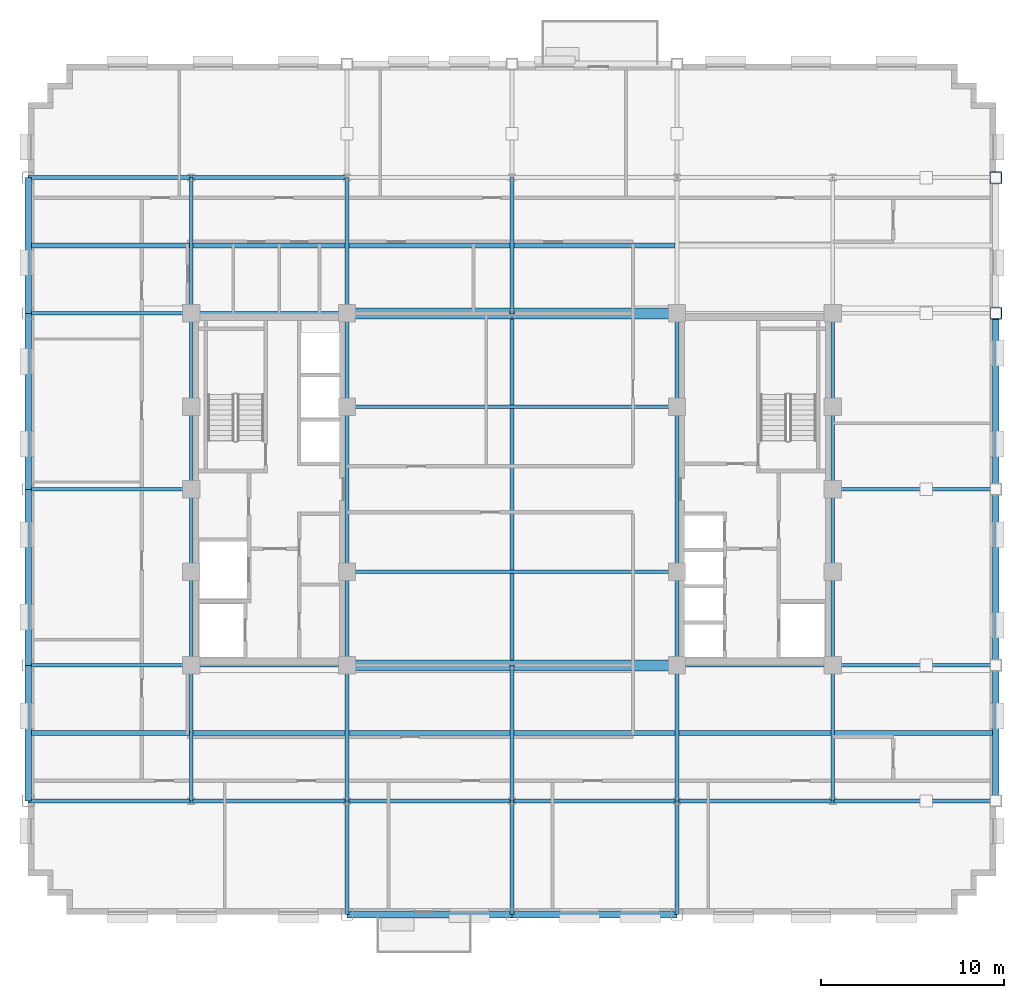
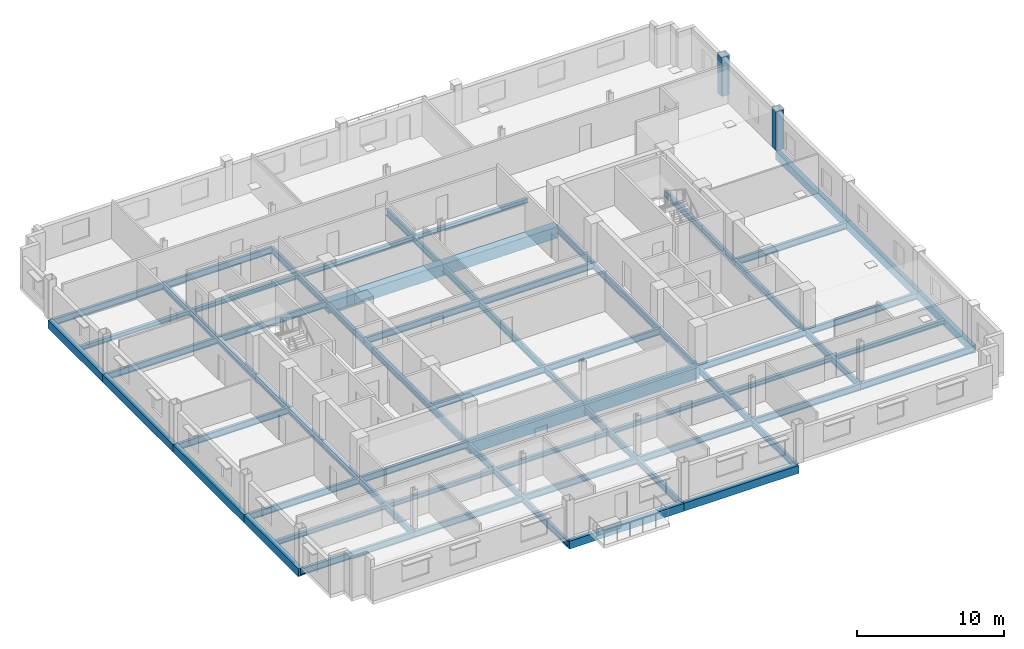
# One storey, part 4 of 14: 67 beams, 2 columns.
"""IFC4 building model written with IfcOpenShell, lengths in metres."""

from ifc_helpers import new_model, si_unit, direction, frame, origin, origin_2d, place, context, subcontext, project, spatial, rectangle, hollow_rectangle, i_section, extrude, material, material_profile, profile_set, type_object, element, save


model = new_model("IFC4")

# Units and contexts
model_context = context("Model", 3, precision=1e-05, world=origin(), true_north=direction((0.0, 1.0)))
body_context = subcontext(model_context, "Body", "Model", "MODEL_VIEW")
ifc_project = project(units=[si_unit("LENGTHUNIT", "METRE"), si_unit("AREAUNIT", "SQUARE_METRE"), si_unit("VOLUMEUNIT", "CUBIC_METRE"), si_unit("PLANEANGLEUNIT", "RADIAN"), si_unit("MASSUNIT", "GRAM", prefix="KILO")], contexts=[model_context])

# Site, building, storey
site_placement = place(None, origin())
site = spatial("IfcSite", under=ifc_project, at=site_placement, CompositionType="ELEMENT")
building_placement = place(site_placement, origin())
building = spatial("IfcBuilding", under=site, at=building_placement, Name="Nuvemarco Arch Tower", CompositionType="ELEMENT")
storey_placement = place(building_placement, frame((0.0, 0.0, 164.0)))
storey = spatial("IfcBuildingStorey", under=building, at=storey_placement, Name="L43", CompositionType="ELEMENT", Elevation=164.0)

# Columns
ifc_material_1 = material(Name="Steel S355", Category="steel")
ifc_material_profile_1 = material_profile(ifc_material_1, hollow_rectangle(XDim=0.64990234375, YDim=0.64990234375, WallThickness=0.0400390625, InnerFilletRadius=0.0400390625, OuterFilletRadius=0.080078125, at=origin_2d()), Name="SHS650x650x40")
ifc_profile_set_1 = profile_set([ifc_material_profile_1], Name="Steel S355")
column_type = type_object("IfcColumnType", Name="COL-EXO-650", PredefinedType="COLUMN", material=ifc_profile_set_1)
for number, where, z_axis, x_axis, name in (
    (1, (26.39990234375, 9.60009765625, 0.0), (0.0, 0.0, 1.0), (1.0, 0.0, 0.0), "L43 column CX_+26.4_+9.6"),
    (2, (26.39990234375, 17.0, 0.0), (0.0, 0.0, 1.0), (1.0, 0.0, 0.0), "L43 column CX_+26.4_+17.0"),
):
    element("IfcColumn", number, at=place(storey_placement, frame(where, z_axis=z_axis, x_axis=x_axis)), inside=storey, type_object=column_type, Name=name, PredefinedType="COLUMN", context=body_context, shape_type="SweptSolid", body=[
        extrude(hollow_rectangle(XDim=0.64990234375, YDim=0.64990234375, WallThickness=0.0400390625, InnerFilletRadius=0.0400390625, OuterFilletRadius=0.080078125, at=origin_2d()), origin(), (0.0, 0.0, 1.0), 3.25),
    ])

# Beams
ifc_material_2 = material(Name="Concrete C60/75", Category="concrete")
ifc_material_profile_2 = material_profile(ifc_material_2, rectangle(XDim=0.60009765625, YDim=0.949951171875, at=origin_2d()), Name="RC-BM-600x950")
ifc_profile_set_2 = profile_set([ifc_material_profile_2], Name="Concrete C60/75")
beam_type_1 = type_object("IfcBeamType", Name="BM-COUP-RC", PredefinedType="LINTEL", material=ifc_profile_set_2)
for number, where, z_axis, x_axis, name in (
    (3, (-9.0, -9.60009765625, -0.7548828125), (1.0, 0.0, 0.0), (0.0, 1.0, 0.0), "L43 structural beam BGEW_L43_0_-9.6_-9.0"),
    (4, (0.0, -9.60009765625, -0.7548828125), (1.0, 0.0, 0.0), (0.0, 1.0, 0.0), "L43 structural beam BGEW_L43_0_-9.6_+0.0"),
    (5, (-9.0, 9.60009765625, -0.7548828125), (1.0, 0.0, 0.0), (0.0, 1.0, 0.0), "L43 structural beam BGEW_L43_0_+9.6_-9.0"),
    (6, (0.0, 9.60009765625, -0.7548828125), (1.0, 0.0, 0.0), (0.0, 1.0, 0.0), "L43 structural beam BGEW_L43_0_+9.6_+0.0"),
):
    element("IfcBeam", number, at=place(storey_placement, frame(where, z_axis=z_axis, x_axis=x_axis)), inside=storey, type_object=beam_type_1, Name=name, PredefinedType="LINTEL", context=body_context, shape_type="SweptSolid", body=[
        extrude(rectangle(XDim=0.60009765625, YDim=0.949951171875, at=origin_2d()), origin(), (0.0, 0.0, 1.0), 9.0),
    ])
ifc_material_profile_3 = material_profile(ifc_material_1, i_section(OverallWidth=0.2109375, OverallDepth=0.5390625, WebThickness=0.01171875, FlangeThickness=0.018798828125, FilletRadius=0.01611328125, at=origin_2d()), Name="W530x109")
ifc_profile_set_3 = profile_set([ifc_material_profile_3], Name="Steel S355")
beam_type_2 = type_object("IfcBeamType", Name="BM-GIRD-530", PredefinedType="BEAM", material=ifc_profile_set_3)
beam_1_placement = place(storey_placement, frame((-17.5, -17.0, -0.549560546875), z_axis=(0.0, 1.0, 0.0), x_axis=(-1.0, 0.0, 0.0)))
element("IfcBeam", 7, at=beam_1_placement, inside=storey, type_object=beam_type_2, Name="L43 structural beam BGNS_L43_0_-17.5_-17.0", PredefinedType="BEAM", context=body_context, shape_type="SweptSolid", body=[
    extrude(i_section(OverallWidth=0.2109375, OverallDepth=0.5390625, WebThickness=0.01171875, FlangeThickness=0.018798828125, FilletRadius=0.01611328125, at=origin_2d()), origin(), (0.0, 0.0, 1.0), 7.39990234375),
])
beam_2_placement = place(storey_placement, frame((-17.5, -9.60009765625, -0.549560546875), z_axis=(0.0, 1.0, 0.0), x_axis=(-1.0, 0.0, 0.0)))
element("IfcBeam", 8, at=beam_2_placement, inside=storey, type_object=beam_type_2, Name="L43 structural beam BGNS_L43_0_-17.5_-9.6", PredefinedType="BEAM", context=body_context, shape_type="SweptSolid", body=[
    extrude(i_section(OverallWidth=0.2109375, OverallDepth=0.5390625, WebThickness=0.01171875, FlangeThickness=0.018798828125, FilletRadius=0.01611328125, at=origin_2d()), origin(), (0.0, 0.0, 1.0), 5.10009765625),
])
for number, where, z_axis, x_axis, name in (
    (9, (-17.5, -4.5, -0.549560546875), (0.0, 1.0, 0.0), (-1.0, 0.0, 0.0), "L43 structural beam BGNS_L43_0_-17.5_-4.5"),
    (10, (-17.5, 0.0, -0.549560546875), (0.0, 1.0, 0.0), (-1.0, 0.0, 0.0), "L43 structural beam BGNS_L43_0_-17.5_+0.0"),
):
    element("IfcBeam", number, at=place(storey_placement, frame(where, z_axis=z_axis, x_axis=x_axis)), inside=storey, type_object=beam_type_2, Name=name, PredefinedType="BEAM", context=body_context, shape_type="SweptSolid", body=[
        extrude(i_section(OverallWidth=0.2109375, OverallDepth=0.5390625, WebThickness=0.01171875, FlangeThickness=0.018798828125, FilletRadius=0.01611328125, at=origin_2d()), origin(), (0.0, 0.0, 1.0), 4.5),
    ])
beam_3_placement = place(storey_placement, frame((-17.5, 4.5, -0.549560546875), z_axis=(0.0, 1.0, 0.0), x_axis=(-1.0, 0.0, 0.0)))
element("IfcBeam", 11, at=beam_3_placement, inside=storey, type_object=beam_type_2, Name="L43 structural beam BGNS_L43_0_-17.5_+4.5", PredefinedType="BEAM", context=body_context, shape_type="SweptSolid", body=[
    extrude(i_section(OverallWidth=0.2109375, OverallDepth=0.5390625, WebThickness=0.01171875, FlangeThickness=0.018798828125, FilletRadius=0.01611328125, at=origin_2d()), origin(), (0.0, 0.0, 1.0), 5.10009765625),
])
beam_4_placement = place(storey_placement, frame((-17.5, 9.60009765625, -0.549560546875), z_axis=(0.0, 1.0, 0.0), x_axis=(-1.0, 0.0, 0.0)))
element("IfcBeam", 12, at=beam_4_placement, inside=storey, type_object=beam_type_2, Name="L43 structural beam BGNS_L43_0_-17.5_+9.6", PredefinedType="BEAM", context=body_context, shape_type="SweptSolid", body=[
    extrude(i_section(OverallWidth=0.2109375, OverallDepth=0.5390625, WebThickness=0.01171875, FlangeThickness=0.018798828125, FilletRadius=0.01611328125, at=origin_2d()), origin(), (0.0, 0.0, 1.0), 7.39990234375),
])
beam_5_placement = place(storey_placement, frame((-9.0, -23.199951171875, -0.549560546875), z_axis=(0.0, 1.0, 0.0), x_axis=(-1.0, 0.0, 0.0)))
element("IfcBeam", 13, at=beam_5_placement, inside=storey, type_object=beam_type_2, Name="L43 structural beam BGNS_L43_0_-9.0_-23.2", PredefinedType="BEAM", context=body_context, shape_type="SweptSolid", body=[
    extrude(i_section(OverallWidth=0.2109375, OverallDepth=0.5390625, WebThickness=0.01171875, FlangeThickness=0.018798828125, FilletRadius=0.01611328125, at=origin_2d()), origin(), (0.0, 0.0, 1.0), 6.199951171875),
])
beam_6_placement = place(storey_placement, frame((-9.0, -17.0, -0.549560546875), z_axis=(0.0, 1.0, 0.0), x_axis=(-1.0, 0.0, 0.0)))
element("IfcBeam", 14, at=beam_6_placement, inside=storey, type_object=beam_type_2, Name="L43 structural beam BGNS_L43_0_-9.0_-17.0", PredefinedType="BEAM", context=body_context, shape_type="SweptSolid", body=[
    extrude(i_section(OverallWidth=0.2109375, OverallDepth=0.5390625, WebThickness=0.01171875, FlangeThickness=0.018798828125, FilletRadius=0.01611328125, at=origin_2d()), origin(), (0.0, 0.0, 1.0), 7.39990234375),
])
beam_7_placement = place(storey_placement, frame((-9.0, -9.60009765625, -0.549560546875), z_axis=(0.0, 1.0, 0.0), x_axis=(-1.0, 0.0, 0.0)))
element("IfcBeam", 15, at=beam_7_placement, inside=storey, type_object=beam_type_2, Name="L43 structural beam BGNS_L43_0_-9.0_-9.6", PredefinedType="BEAM", context=body_context, shape_type="SweptSolid", body=[
    extrude(i_section(OverallWidth=0.2109375, OverallDepth=0.5390625, WebThickness=0.01171875, FlangeThickness=0.018798828125, FilletRadius=0.01611328125, at=origin_2d()), origin(), (0.0, 0.0, 1.0), 5.10009765625),
])
beam_8_placement = place(storey_placement, frame((-9.0, -4.5, -0.549560546875), z_axis=(0.0, 1.0, 0.0), x_axis=(-1.0, 0.0, 0.0)))
element("IfcBeam", 16, at=beam_8_placement, inside=storey, type_object=beam_type_2, Name="L43 structural beam BGNS_L43_0_-9.0_-4.5", PredefinedType="BEAM", context=body_context, shape_type="SweptSolid", body=[
    extrude(i_section(OverallWidth=0.2109375, OverallDepth=0.5390625, WebThickness=0.01171875, FlangeThickness=0.018798828125, FilletRadius=0.01611328125, at=origin_2d()), origin(), (0.0, 0.0, 1.0), 9.0),
])
beam_9_placement = place(storey_placement, frame((-9.0, 4.5, -0.549560546875), z_axis=(0.0, 1.0, 0.0), x_axis=(-1.0, 0.0, 0.0)))
element("IfcBeam", 17, at=beam_9_placement, inside=storey, type_object=beam_type_2, Name="L43 structural beam BGNS_L43_0_-9.0_+4.5", PredefinedType="BEAM", context=body_context, shape_type="SweptSolid", body=[
    extrude(i_section(OverallWidth=0.2109375, OverallDepth=0.5390625, WebThickness=0.01171875, FlangeThickness=0.018798828125, FilletRadius=0.01611328125, at=origin_2d()), origin(), (0.0, 0.0, 1.0), 5.10009765625),
])
beam_10_placement = place(storey_placement, frame((-9.0, 9.60009765625, -0.549560546875), z_axis=(0.0, 1.0, 0.0), x_axis=(-1.0, 0.0, 0.0)))
element("IfcBeam", 18, at=beam_10_placement, inside=storey, type_object=beam_type_2, Name="L43 structural beam BGNS_L43_0_-9.0_+9.6", PredefinedType="BEAM", context=body_context, shape_type="SweptSolid", body=[
    extrude(i_section(OverallWidth=0.2109375, OverallDepth=0.5390625, WebThickness=0.01171875, FlangeThickness=0.018798828125, FilletRadius=0.01611328125, at=origin_2d()), origin(), (0.0, 0.0, 1.0), 7.39990234375),
])
beam_11_placement = place(storey_placement, frame((0.0, -23.199951171875, -0.549560546875), z_axis=(0.0, 1.0, 0.0), x_axis=(-1.0, 0.0, 0.0)))
element("IfcBeam", 19, at=beam_11_placement, inside=storey, type_object=beam_type_2, Name="L43 structural beam BGNS_L43_0_+0.0_-23.2", PredefinedType="BEAM", context=body_context, shape_type="SweptSolid", body=[
    extrude(i_section(OverallWidth=0.2109375, OverallDepth=0.5390625, WebThickness=0.01171875, FlangeThickness=0.018798828125, FilletRadius=0.01611328125, at=origin_2d()), origin(), (0.0, 0.0, 1.0), 6.199951171875),
])
beam_12_placement = place(storey_placement, frame((0.0, -17.0, -0.549560546875), z_axis=(0.0, 1.0, 0.0), x_axis=(-1.0, 0.0, 0.0)))
element("IfcBeam", 20, at=beam_12_placement, inside=storey, type_object=beam_type_2, Name="L43 structural beam BGNS_L43_0_+0.0_-17.0", PredefinedType="BEAM", context=body_context, shape_type="SweptSolid", body=[
    extrude(i_section(OverallWidth=0.2109375, OverallDepth=0.5390625, WebThickness=0.01171875, FlangeThickness=0.018798828125, FilletRadius=0.01611328125, at=origin_2d()), origin(), (0.0, 0.0, 1.0), 7.39990234375),
])
beam_13_placement = place(storey_placement, frame((0.0, -9.60009765625, -0.549560546875), z_axis=(0.0, 1.0, 0.0), x_axis=(-1.0, 0.0, 0.0)))
element("IfcBeam", 21, at=beam_13_placement, inside=storey, type_object=beam_type_2, Name="L43 structural beam BGNS_L43_0_+0.0_-9.6", PredefinedType="BEAM", context=body_context, shape_type="SweptSolid", body=[
    extrude(i_section(OverallWidth=0.2109375, OverallDepth=0.5390625, WebThickness=0.01171875, FlangeThickness=0.018798828125, FilletRadius=0.01611328125, at=origin_2d()), origin(), (0.0, 0.0, 1.0), 19.2001953125),
])
beam_14_placement = place(storey_placement, frame((0.0, 9.60009765625, -0.549560546875), z_axis=(0.0, 1.0, 0.0), x_axis=(-1.0, 0.0, 0.0)))
element("IfcBeam", 22, at=beam_14_placement, inside=storey, type_object=beam_type_2, Name="L43 structural beam BGNS_L43_0_+0.0_+9.6", PredefinedType="BEAM", context=body_context, shape_type="SweptSolid", body=[
    extrude(i_section(OverallWidth=0.2109375, OverallDepth=0.5390625, WebThickness=0.01171875, FlangeThickness=0.018798828125, FilletRadius=0.01611328125, at=origin_2d()), origin(), (0.0, 0.0, 1.0), 7.39990234375),
])
beam_15_placement = place(storey_placement, frame((9.0, -23.199951171875, -0.549560546875), z_axis=(0.0, 1.0, 0.0), x_axis=(-1.0, 0.0, 0.0)))
element("IfcBeam", 23, at=beam_15_placement, inside=storey, type_object=beam_type_2, Name="L43 structural beam BGNS_L43_0_+9.0_-23.2", PredefinedType="BEAM", context=body_context, shape_type="SweptSolid", body=[
    extrude(i_section(OverallWidth=0.2109375, OverallDepth=0.5390625, WebThickness=0.01171875, FlangeThickness=0.018798828125, FilletRadius=0.01611328125, at=origin_2d()), origin(), (0.0, 0.0, 1.0), 6.199951171875),
])
beam_16_placement = place(storey_placement, frame((9.0, -17.0, -0.549560546875), z_axis=(0.0, 1.0, 0.0), x_axis=(-1.0, 0.0, 0.0)))
element("IfcBeam", 24, at=beam_16_placement, inside=storey, type_object=beam_type_2, Name="L43 structural beam BGNS_L43_0_+9.0_-17.0", PredefinedType="BEAM", context=body_context, shape_type="SweptSolid", body=[
    extrude(i_section(OverallWidth=0.2109375, OverallDepth=0.5390625, WebThickness=0.01171875, FlangeThickness=0.018798828125, FilletRadius=0.01611328125, at=origin_2d()), origin(), (0.0, 0.0, 1.0), 7.39990234375),
])
beam_17_placement = place(storey_placement, frame((9.0, -9.60009765625, -0.549560546875), z_axis=(0.0, 1.0, 0.0), x_axis=(-1.0, 0.0, 0.0)))
element("IfcBeam", 25, at=beam_17_placement, inside=storey, type_object=beam_type_2, Name="L43 structural beam BGNS_L43_0_+9.0_-9.6", PredefinedType="BEAM", context=body_context, shape_type="SweptSolid", body=[
    extrude(i_section(OverallWidth=0.2109375, OverallDepth=0.5390625, WebThickness=0.01171875, FlangeThickness=0.018798828125, FilletRadius=0.01611328125, at=origin_2d()), origin(), (0.0, 0.0, 1.0), 5.10009765625),
])
beam_18_placement = place(storey_placement, frame((9.0, -4.5, -0.549560546875), z_axis=(0.0, 1.0, 0.0), x_axis=(-1.0, 0.0, 0.0)))
element("IfcBeam", 26, at=beam_18_placement, inside=storey, type_object=beam_type_2, Name="L43 structural beam BGNS_L43_0_+9.0_-4.5", PredefinedType="BEAM", context=body_context, shape_type="SweptSolid", body=[
    extrude(i_section(OverallWidth=0.2109375, OverallDepth=0.5390625, WebThickness=0.01171875, FlangeThickness=0.018798828125, FilletRadius=0.01611328125, at=origin_2d()), origin(), (0.0, 0.0, 1.0), 9.0),
])
beam_19_placement = place(storey_placement, frame((9.0, 4.5, -0.549560546875), z_axis=(0.0, 1.0, 0.0), x_axis=(-1.0, 0.0, 0.0)))
element("IfcBeam", 27, at=beam_19_placement, inside=storey, type_object=beam_type_2, Name="L43 structural beam BGNS_L43_0_+9.0_+4.5", PredefinedType="BEAM", context=body_context, shape_type="SweptSolid", body=[
    extrude(i_section(OverallWidth=0.2109375, OverallDepth=0.5390625, WebThickness=0.01171875, FlangeThickness=0.018798828125, FilletRadius=0.01611328125, at=origin_2d()), origin(), (0.0, 0.0, 1.0), 5.10009765625),
])
beam_20_placement = place(storey_placement, frame((17.5, -17.0, -0.549560546875), z_axis=(0.0, 1.0, 0.0), x_axis=(-1.0, 0.0, 0.0)))
element("IfcBeam", 28, at=beam_20_placement, inside=storey, type_object=beam_type_2, Name="L43 structural beam BGNS_L43_0_+17.5_-17.0", PredefinedType="BEAM", context=body_context, shape_type="SweptSolid", body=[
    extrude(i_section(OverallWidth=0.2109375, OverallDepth=0.5390625, WebThickness=0.01171875, FlangeThickness=0.018798828125, FilletRadius=0.01611328125, at=origin_2d()), origin(), (0.0, 0.0, 1.0), 7.39990234375),
])
beam_21_placement = place(storey_placement, frame((17.5, -9.60009765625, -0.549560546875), z_axis=(0.0, 1.0, 0.0), x_axis=(-1.0, 0.0, 0.0)))
element("IfcBeam", 29, at=beam_21_placement, inside=storey, type_object=beam_type_2, Name="L43 structural beam BGNS_L43_0_+17.5_-9.6", PredefinedType="BEAM", context=body_context, shape_type="SweptSolid", body=[
    extrude(i_section(OverallWidth=0.2109375, OverallDepth=0.5390625, WebThickness=0.01171875, FlangeThickness=0.018798828125, FilletRadius=0.01611328125, at=origin_2d()), origin(), (0.0, 0.0, 1.0), 5.10009765625),
])
for number, where, z_axis, x_axis, name in (
    (30, (17.5, -4.5, -0.549560546875), (0.0, 1.0, 0.0), (-1.0, 0.0, 0.0), "L43 structural beam BGNS_L43_0_+17.5_-4.5"),
    (31, (17.5, 0.0, -0.549560546875), (0.0, 1.0, 0.0), (-1.0, 0.0, 0.0), "L43 structural beam BGNS_L43_0_+17.5_+0.0"),
):
    element("IfcBeam", number, at=place(storey_placement, frame(where, z_axis=z_axis, x_axis=x_axis)), inside=storey, type_object=beam_type_2, Name=name, PredefinedType="BEAM", context=body_context, shape_type="SweptSolid", body=[
        extrude(i_section(OverallWidth=0.2109375, OverallDepth=0.5390625, WebThickness=0.01171875, FlangeThickness=0.018798828125, FilletRadius=0.01611328125, at=origin_2d()), origin(), (0.0, 0.0, 1.0), 4.5),
    ])
beam_22_placement = place(storey_placement, frame((17.5, 4.5, -0.549560546875), z_axis=(0.0, 1.0, 0.0), x_axis=(-1.0, 0.0, 0.0)))
element("IfcBeam", 32, at=beam_22_placement, inside=storey, type_object=beam_type_2, Name="L43 structural beam BGNS_L43_0_+17.5_+4.5", PredefinedType="BEAM", context=body_context, shape_type="SweptSolid", body=[
    extrude(i_section(OverallWidth=0.2109375, OverallDepth=0.5390625, WebThickness=0.01171875, FlangeThickness=0.018798828125, FilletRadius=0.01611328125, at=origin_2d()), origin(), (0.0, 0.0, 1.0), 5.10009765625),
])
beam_23_placement = place(storey_placement, frame((-26.39990234375, -17.0, -0.549560546875), z_axis=(1.0, 0.0, 0.0), x_axis=(0.0, 1.0, 0.0)))
element("IfcBeam", 33, at=beam_23_placement, inside=storey, type_object=beam_type_2, Name="L43 structural beam BGEW_L43_0_-17.0_-26.4", PredefinedType="BEAM", context=body_context, shape_type="SweptSolid", body=[
    extrude(i_section(OverallWidth=0.2109375, OverallDepth=0.5390625, WebThickness=0.01171875, FlangeThickness=0.018798828125, FilletRadius=0.01611328125, at=origin_2d()), origin(), (0.0, 0.0, 1.0), 8.89990234375),
])
beam_24_placement = place(storey_placement, frame((-17.5, -17.0, -0.549560546875), z_axis=(1.0, 0.0, 0.0), x_axis=(0.0, 1.0, 0.0)))
element("IfcBeam", 34, at=beam_24_placement, inside=storey, type_object=beam_type_2, Name="L43 structural beam BGEW_L43_0_-17.0_-17.5", PredefinedType="BEAM", context=body_context, shape_type="SweptSolid", body=[
    extrude(i_section(OverallWidth=0.2109375, OverallDepth=0.5390625, WebThickness=0.01171875, FlangeThickness=0.018798828125, FilletRadius=0.01611328125, at=origin_2d()), origin(), (0.0, 0.0, 1.0), 8.5),
])
for number, where, z_axis, x_axis, name in (
    (35, (-9.0, -17.0, -0.549560546875), (1.0, 0.0, 0.0), (0.0, 1.0, 0.0), "L43 structural beam BGEW_L43_0_-17.0_-9.0"),
    (36, (0.0, -17.0, -0.549560546875), (1.0, 0.0, 0.0), (0.0, 1.0, 0.0), "L43 structural beam BGEW_L43_0_-17.0_+0.0"),
):
    element("IfcBeam", number, at=place(storey_placement, frame(where, z_axis=z_axis, x_axis=x_axis)), inside=storey, type_object=beam_type_2, Name=name, PredefinedType="BEAM", context=body_context, shape_type="SweptSolid", body=[
        extrude(i_section(OverallWidth=0.2109375, OverallDepth=0.5390625, WebThickness=0.01171875, FlangeThickness=0.018798828125, FilletRadius=0.01611328125, at=origin_2d()), origin(), (0.0, 0.0, 1.0), 9.0),
    ])
beam_25_placement = place(storey_placement, frame((9.0, -17.0, -0.549560546875), z_axis=(1.0, 0.0, 0.0), x_axis=(0.0, 1.0, 0.0)))
element("IfcBeam", 37, at=beam_25_placement, inside=storey, type_object=beam_type_2, Name="L43 structural beam BGEW_L43_0_-17.0_+9.0", PredefinedType="BEAM", context=body_context, shape_type="SweptSolid", body=[
    extrude(i_section(OverallWidth=0.2109375, OverallDepth=0.5390625, WebThickness=0.01171875, FlangeThickness=0.018798828125, FilletRadius=0.01611328125, at=origin_2d()), origin(), (0.0, 0.0, 1.0), 8.5),
])
for number, where, z_axis, x_axis, name in (
    (38, (17.5, -17.0, -0.549560546875), (1.0, 0.0, 0.0), (0.0, 1.0, 0.0), "L43 structural beam BGEW_L43_0_-17.0_+17.5"),
    (39, (-26.39990234375, -9.60009765625, -0.549560546875), (1.0, 0.0, 0.0), (0.0, 1.0, 0.0), "L43 structural beam BGEW_L43_0_-9.6_-26.4"),
):
    element("IfcBeam", number, at=place(storey_placement, frame(where, z_axis=z_axis, x_axis=x_axis)), inside=storey, type_object=beam_type_2, Name=name, PredefinedType="BEAM", context=body_context, shape_type="SweptSolid", body=[
        extrude(i_section(OverallWidth=0.2109375, OverallDepth=0.5390625, WebThickness=0.01171875, FlangeThickness=0.018798828125, FilletRadius=0.01611328125, at=origin_2d()), origin(), (0.0, 0.0, 1.0), 8.89990234375),
    ])
for number, where, z_axis, x_axis, name in (
    (40, (-17.5, -9.60009765625, -0.549560546875), (1.0, 0.0, 0.0), (0.0, 1.0, 0.0), "L43 structural beam BGEW_L43_0_-9.6_-17.5"),
    (41, (9.0, -9.60009765625, -0.549560546875), (1.0, 0.0, 0.0), (0.0, 1.0, 0.0), "L43 structural beam BGEW_L43_0_-9.6_+9.0"),
):
    element("IfcBeam", number, at=place(storey_placement, frame(where, z_axis=z_axis, x_axis=x_axis)), inside=storey, type_object=beam_type_2, Name=name, PredefinedType="BEAM", context=body_context, shape_type="SweptSolid", body=[
        extrude(i_section(OverallWidth=0.2109375, OverallDepth=0.5390625, WebThickness=0.01171875, FlangeThickness=0.018798828125, FilletRadius=0.01611328125, at=origin_2d()), origin(), (0.0, 0.0, 1.0), 8.5),
    ])
beam_26_placement = place(storey_placement, frame((17.5, -9.60009765625, -0.549560546875), z_axis=(1.0, 0.0, 0.0), x_axis=(0.0, 1.0, 0.0)))
element("IfcBeam", 42, at=beam_26_placement, inside=storey, type_object=beam_type_2, Name="L43 structural beam BGEW_L43_0_-9.6_+17.5", PredefinedType="BEAM", context=body_context, shape_type="SweptSolid", body=[
    extrude(i_section(OverallWidth=0.2109375, OverallDepth=0.5390625, WebThickness=0.01171875, FlangeThickness=0.018798828125, FilletRadius=0.01611328125, at=origin_2d()), origin(), (0.0, 0.0, 1.0), 8.89990234375),
])
beam_27_placement = place(storey_placement, frame((-9.0, -4.5, -0.549560546875), z_axis=(1.0, 0.0, 0.0), x_axis=(0.0, 1.0, 0.0)))
element("IfcBeam", 43, at=beam_27_placement, inside=storey, type_object=beam_type_2, Name="L43 structural beam BGEW_L43_0_-4.5_-9.0", PredefinedType="BEAM", context=body_context, shape_type="SweptSolid", body=[
    extrude(i_section(OverallWidth=0.2109375, OverallDepth=0.5390625, WebThickness=0.01171875, FlangeThickness=0.018798828125, FilletRadius=0.01611328125, at=origin_2d()), origin(), (0.0, 0.0, 1.0), 18.0),
])
for number, where, z_axis, x_axis, name in (
    (44, (-26.39990234375, 0.0, -0.549560546875), (1.0, 0.0, 0.0), (0.0, 1.0, 0.0), "L43 structural beam BGEW_L43_0_+0.0_-26.4"),
    (45, (17.5, 0.0, -0.549560546875), (1.0, 0.0, 0.0), (0.0, 1.0, 0.0), "L43 structural beam BGEW_L43_0_+0.0_+17.5"),
):
    element("IfcBeam", number, at=place(storey_placement, frame(where, z_axis=z_axis, x_axis=x_axis)), inside=storey, type_object=beam_type_2, Name=name, PredefinedType="BEAM", context=body_context, shape_type="SweptSolid", body=[
        extrude(i_section(OverallWidth=0.2109375, OverallDepth=0.5390625, WebThickness=0.01171875, FlangeThickness=0.018798828125, FilletRadius=0.01611328125, at=origin_2d()), origin(), (0.0, 0.0, 1.0), 8.89990234375),
    ])
beam_28_placement = place(storey_placement, frame((-9.0, 4.5, -0.549560546875), z_axis=(1.0, 0.0, 0.0), x_axis=(0.0, 1.0, 0.0)))
element("IfcBeam", 46, at=beam_28_placement, inside=storey, type_object=beam_type_2, Name="L43 structural beam BGEW_L43_0_+4.5_-9.0", PredefinedType="BEAM", context=body_context, shape_type="SweptSolid", body=[
    extrude(i_section(OverallWidth=0.2109375, OverallDepth=0.5390625, WebThickness=0.01171875, FlangeThickness=0.018798828125, FilletRadius=0.01611328125, at=origin_2d()), origin(), (0.0, 0.0, 1.0), 18.0),
])
beam_29_placement = place(storey_placement, frame((-26.39990234375, 9.60009765625, -0.549560546875), z_axis=(1.0, 0.0, 0.0), x_axis=(0.0, 1.0, 0.0)))
element("IfcBeam", 47, at=beam_29_placement, inside=storey, type_object=beam_type_2, Name="L43 structural beam BGEW_L43_0_+9.6_-26.4", PredefinedType="BEAM", context=body_context, shape_type="SweptSolid", body=[
    extrude(i_section(OverallWidth=0.2109375, OverallDepth=0.5390625, WebThickness=0.01171875, FlangeThickness=0.018798828125, FilletRadius=0.01611328125, at=origin_2d()), origin(), (0.0, 0.0, 1.0), 8.89990234375),
])
beam_30_placement = place(storey_placement, frame((-17.5, 9.60009765625, -0.549560546875), z_axis=(1.0, 0.0, 0.0), x_axis=(0.0, 1.0, 0.0)))
element("IfcBeam", 48, at=beam_30_placement, inside=storey, type_object=beam_type_2, Name="L43 structural beam BGEW_L43_0_+9.6_-17.5", PredefinedType="BEAM", context=body_context, shape_type="SweptSolid", body=[
    extrude(i_section(OverallWidth=0.2109375, OverallDepth=0.5390625, WebThickness=0.01171875, FlangeThickness=0.018798828125, FilletRadius=0.01611328125, at=origin_2d()), origin(), (0.0, 0.0, 1.0), 8.5),
])
beam_31_placement = place(storey_placement, frame((-26.39990234375, 17.0, -0.549560546875), z_axis=(1.0, 0.0, 0.0), x_axis=(0.0, 1.0, 0.0)))
element("IfcBeam", 49, at=beam_31_placement, inside=storey, type_object=beam_type_2, Name="L43 structural beam BGEW_L43_0_+17.0_-26.4", PredefinedType="BEAM", context=body_context, shape_type="SweptSolid", body=[
    extrude(i_section(OverallWidth=0.2109375, OverallDepth=0.5390625, WebThickness=0.01171875, FlangeThickness=0.018798828125, FilletRadius=0.01611328125, at=origin_2d()), origin(), (0.0, 0.0, 1.0), 8.89990234375),
])
beam_32_placement = place(storey_placement, frame((-17.5, 17.0, -0.549560546875), z_axis=(1.0, 0.0, 0.0), x_axis=(0.0, 1.0, 0.0)))
element("IfcBeam", 50, at=beam_32_placement, inside=storey, type_object=beam_type_2, Name="L43 structural beam BGEW_L43_0_+17.0_-17.5", PredefinedType="BEAM", context=body_context, shape_type="SweptSolid", body=[
    extrude(i_section(OverallWidth=0.2109375, OverallDepth=0.5390625, WebThickness=0.01171875, FlangeThickness=0.018798828125, FilletRadius=0.01611328125, at=origin_2d()), origin(), (0.0, 0.0, 1.0), 8.5),
])
ifc_material_profile_4 = material_profile(ifc_material_1, i_section(OverallWidth=0.2548828125, OverallDepth=0.35693359375, WebThickness=0.010498046875, FlangeThickness=0.018310546875, FilletRadius=0.014892578125, at=origin_2d()), Name="W360x101")
ifc_profile_set_4 = profile_set([ifc_material_profile_4], Name="Steel S355")
beam_type_3 = type_object("IfcBeamType", Name="BM-JOIST-360H", PredefinedType="JOIST", material=ifc_profile_set_4)
beam_33_placement = place(storey_placement, frame((-26.22509765625, -13.300048828125, -0.45849609375), z_axis=(1.0, 0.0, 0.0), x_axis=(0.0, 1.0, 0.0)))
element("IfcBeam", 51, at=beam_33_placement, inside=storey, type_object=beam_type_3, Name="L43 structural beam BJ_L43_0_-13.3_-26.4", PredefinedType="JOIST", context=body_context, shape_type="SweptSolid", body=[
    extrude(i_section(OverallWidth=0.2548828125, OverallDepth=0.35693359375, WebThickness=0.010498046875, FlangeThickness=0.018310546875, FilletRadius=0.014892578125, at=origin_2d()), origin(), (0.0, 0.0, 1.0), 8.61962890625),
])
beam_34_placement = place(storey_placement, frame((-17.39453125, -13.300048828125, -0.45849609375), z_axis=(1.0, 0.0, 0.0), x_axis=(0.0, 1.0, 0.0)))
element("IfcBeam", 52, at=beam_34_placement, inside=storey, type_object=beam_type_3, Name="L43 structural beam BJ_L43_0_-13.3_-17.5", PredefinedType="JOIST", context=body_context, shape_type="SweptSolid", body=[
    extrude(i_section(OverallWidth=0.2548828125, OverallDepth=0.35693359375, WebThickness=0.010498046875, FlangeThickness=0.018310546875, FilletRadius=0.014892578125, at=origin_2d()), origin(), (0.0, 0.0, 1.0), 8.2890625),
])
for number, where, z_axis, x_axis, name in (
    (53, (-8.89453125, -13.300048828125, -0.45849609375), (1.0, 0.0, 0.0), (0.0, 1.0, 0.0), "L43 structural beam BJ_L43_0_-13.3_-9.0"),
    (54, (0.10546875, -13.300048828125, -0.45849609375), (1.0, 0.0, 0.0), (0.0, 1.0, 0.0), "L43 structural beam BJ_L43_0_-13.3_+0.0"),
):
    element("IfcBeam", number, at=place(storey_placement, frame(where, z_axis=z_axis, x_axis=x_axis)), inside=storey, type_object=beam_type_3, Name=name, PredefinedType="JOIST", context=body_context, shape_type="SweptSolid", body=[
        extrude(i_section(OverallWidth=0.2548828125, OverallDepth=0.35693359375, WebThickness=0.010498046875, FlangeThickness=0.018310546875, FilletRadius=0.014892578125, at=origin_2d()), origin(), (0.0, 0.0, 1.0), 8.7890625),
    ])
beam_35_placement = place(storey_placement, frame((9.10546875, -13.300048828125, -0.45849609375), z_axis=(1.0, 0.0, 0.0), x_axis=(0.0, 1.0, 0.0)))
element("IfcBeam", 55, at=beam_35_placement, inside=storey, type_object=beam_type_3, Name="L43 structural beam BJ_L43_0_-13.3_+9.0", PredefinedType="JOIST", context=body_context, shape_type="SweptSolid", body=[
    extrude(i_section(OverallWidth=0.2548828125, OverallDepth=0.35693359375, WebThickness=0.010498046875, FlangeThickness=0.018310546875, FilletRadius=0.014892578125, at=origin_2d()), origin(), (0.0, 0.0, 1.0), 8.2890625),
])
for number, where, z_axis, x_axis, name in (
    (56, (17.60546875, -13.300048828125, -0.45849609375), (1.0, 0.0, 0.0), (0.0, 1.0, 0.0), "L43 structural beam BJ_L43_0_-13.3_+17.5"),
    (57, (-26.22509765625, 13.300048828125, -0.45849609375), (1.0, 0.0, 0.0), (0.0, 1.0, 0.0), "L43 structural beam BJ_L43_0_+13.3_-26.4"),
):
    element("IfcBeam", number, at=place(storey_placement, frame(where, z_axis=z_axis, x_axis=x_axis)), inside=storey, type_object=beam_type_3, Name=name, PredefinedType="JOIST", context=body_context, shape_type="SweptSolid", body=[
        extrude(i_section(OverallWidth=0.2548828125, OverallDepth=0.35693359375, WebThickness=0.010498046875, FlangeThickness=0.018310546875, FilletRadius=0.014892578125, at=origin_2d()), origin(), (0.0, 0.0, 1.0), 8.61962890625),
    ])
beam_36_placement = place(storey_placement, frame((-17.39453125, 13.300048828125, -0.45849609375), z_axis=(1.0, 0.0, 0.0), x_axis=(0.0, 1.0, 0.0)))
element("IfcBeam", 58, at=beam_36_placement, inside=storey, type_object=beam_type_3, Name="L43 structural beam BJ_L43_0_+13.3_-17.5", PredefinedType="JOIST", context=body_context, shape_type="SweptSolid", body=[
    extrude(i_section(OverallWidth=0.2548828125, OverallDepth=0.35693359375, WebThickness=0.010498046875, FlangeThickness=0.018310546875, FilletRadius=0.014892578125, at=origin_2d()), origin(), (0.0, 0.0, 1.0), 8.2890625),
])
for number, where, z_axis, x_axis, name in (
    (59, (-8.89453125, 13.300048828125, -0.45849609375), (1.0, 0.0, 0.0), (0.0, 1.0, 0.0), "L43 structural beam BJ_L43_0_+13.3_-9.0"),
    (60, (0.10546875, 13.300048828125, -0.45849609375), (1.0, 0.0, 0.0), (0.0, 1.0, 0.0), "L43 structural beam BJ_L43_0_+13.3_+0.0"),
):
    element("IfcBeam", number, at=place(storey_placement, frame(where, z_axis=z_axis, x_axis=x_axis)), inside=storey, type_object=beam_type_3, Name=name, PredefinedType="JOIST", context=body_context, shape_type="SweptSolid", body=[
        extrude(i_section(OverallWidth=0.2548828125, OverallDepth=0.35693359375, WebThickness=0.010498046875, FlangeThickness=0.018310546875, FilletRadius=0.014892578125, at=origin_2d()), origin(), (0.0, 0.0, 1.0), 8.7890625),
    ])
ifc_material_3 = material(Name="Precast concrete C45/55", Category="concrete")
ifc_material_profile_5 = material_profile(ifc_material_3, rectangle(XDim=0.35009765625, YDim=0.64990234375, at=origin_2d()), Name="PC-SP-350x650")
ifc_profile_set_5 = profile_set([ifc_material_profile_5], Name="Precast concrete C45/55")
beam_type_4 = type_object("IfcBeamType", Name="BM-SPAN-RC", PredefinedType="SPANDREL", material=ifc_profile_set_5)
beam_37_placement = place(storey_placement, frame((-26.39990234375, -17.0, -0.60498046875), z_axis=(0.0, 1.0, 0.0), x_axis=(-1.0, 0.0, 0.0)))
element("IfcBeam", 61, at=beam_37_placement, inside=storey, type_object=beam_type_4, Name="L43 structural beam BGNS_L43_0_-26.4_-17.0", PredefinedType="SPANDREL", context=body_context, shape_type="SweptSolid", body=[
    extrude(rectangle(XDim=0.35009765625, YDim=0.64990234375, at=origin_2d()), origin(), (0.0, 0.0, 1.0), 7.39990234375),
])
for number, where, z_axis, x_axis, name in (
    (62, (-26.39990234375, -9.60009765625, -0.60498046875), (0.0, 1.0, 0.0), (-1.0, 0.0, 0.0), "L43 structural beam BGNS_L43_0_-26.4_-9.6"),
    (63, (-26.39990234375, 0.0, -0.60498046875), (0.0, 1.0, 0.0), (-1.0, 0.0, 0.0), "L43 structural beam BGNS_L43_0_-26.4_+0.0"),
):
    element("IfcBeam", number, at=place(storey_placement, frame(where, z_axis=z_axis, x_axis=x_axis)), inside=storey, type_object=beam_type_4, Name=name, PredefinedType="SPANDREL", context=body_context, shape_type="SweptSolid", body=[
        extrude(rectangle(XDim=0.35009765625, YDim=0.64990234375, at=origin_2d()), origin(), (0.0, 0.0, 1.0), 9.60009765625),
    ])
for number, where, z_axis, x_axis, name in (
    (64, (-26.39990234375, 9.60009765625, -0.60498046875), (0.0, 1.0, 0.0), (-1.0, 0.0, 0.0), "L43 structural beam BGNS_L43_0_-26.4_+9.6"),
    (65, (26.39990234375, -17.0, -0.60498046875), (0.0, 1.0, 0.0), (-1.0, 0.0, 0.0), "L43 structural beam BGNS_L43_0_+26.4_-17.0"),
):
    element("IfcBeam", number, at=place(storey_placement, frame(where, z_axis=z_axis, x_axis=x_axis)), inside=storey, type_object=beam_type_4, Name=name, PredefinedType="SPANDREL", context=body_context, shape_type="SweptSolid", body=[
        extrude(rectangle(XDim=0.35009765625, YDim=0.64990234375, at=origin_2d()), origin(), (0.0, 0.0, 1.0), 7.39990234375),
    ])
for number, where, z_axis, x_axis, name in (
    (66, (26.39990234375, -9.60009765625, -0.60498046875), (0.0, 1.0, 0.0), (-1.0, 0.0, 0.0), "L43 structural beam BGNS_L43_0_+26.4_-9.6"),
    (67, (26.39990234375, 0.0, -0.60498046875), (0.0, 1.0, 0.0), (-1.0, 0.0, 0.0), "L43 structural beam BGNS_L43_0_+26.4_+0.0"),
):
    element("IfcBeam", number, at=place(storey_placement, frame(where, z_axis=z_axis, x_axis=x_axis)), inside=storey, type_object=beam_type_4, Name=name, PredefinedType="SPANDREL", context=body_context, shape_type="SweptSolid", body=[
        extrude(rectangle(XDim=0.35009765625, YDim=0.64990234375, at=origin_2d()), origin(), (0.0, 0.0, 1.0), 9.60009765625),
    ])
for number, where, z_axis, x_axis, name in (
    (68, (-9.0, -23.199951171875, -0.60498046875), (1.0, 0.0, 0.0), (0.0, 1.0, 0.0), "L43 structural beam BGEW_L43_0_-23.2_-9.0"),
    (69, (0.0, -23.199951171875, -0.60498046875), (1.0, 0.0, 0.0), (0.0, 1.0, 0.0), "L43 structural beam BGEW_L43_0_-23.2_+0.0"),
):
    element("IfcBeam", number, at=place(storey_placement, frame(where, z_axis=z_axis, x_axis=x_axis)), inside=storey, type_object=beam_type_4, Name=name, PredefinedType="SPANDREL", context=body_context, shape_type="SweptSolid", body=[
        extrude(rectangle(XDim=0.35009765625, YDim=0.64990234375, at=origin_2d()), origin(), (0.0, 0.0, 1.0), 9.0),
    ])

save(model, "model.ifc")
